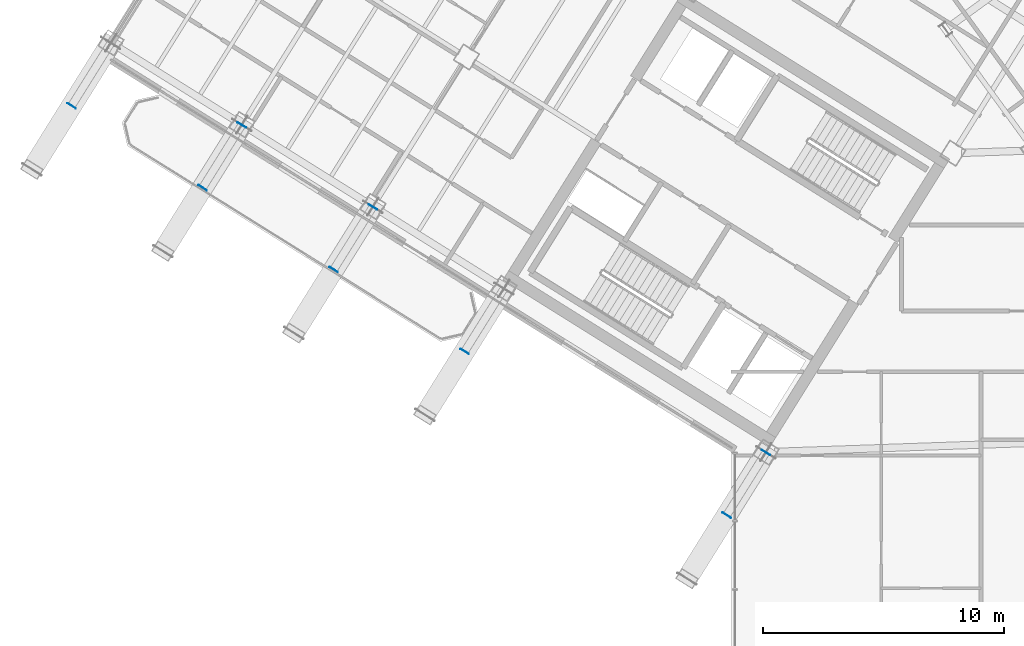
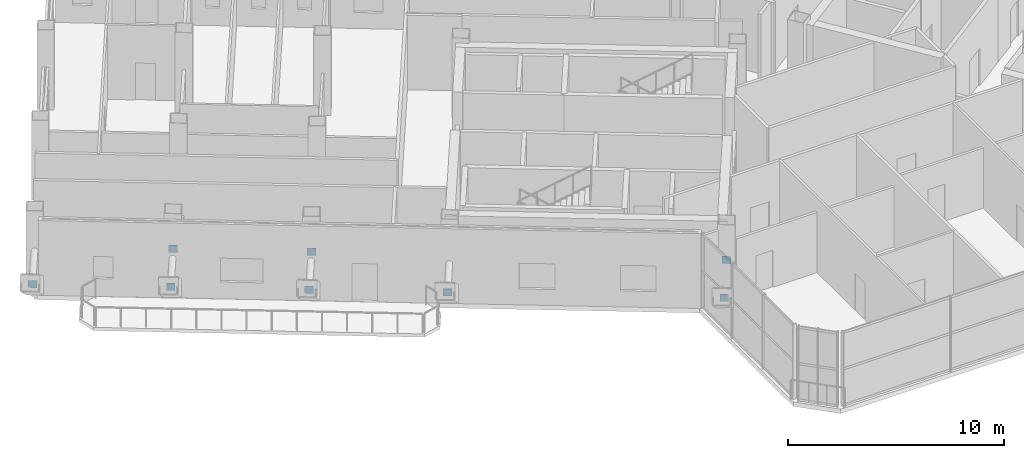
# One storey, part 17 of 34: 8 plates.
"""IFC4 building model written with IfcOpenShell, lengths in metres."""

from ifc_helpers import new_model, si_unit, direction, frame, origin, origin_2d, place, context, subcontext, project, spatial, rectangle, extrude, source, transform, mapped, material, layer, layer_set, type_object, element, save


model = new_model("IFC4")

# Units and contexts
model_context = context("Model", 3, precision=1e-05, world=origin(), true_north=direction((0.0, 1.0)))
body_context = subcontext(model_context, "Body", "Model", "MODEL_VIEW")
ifc_project = project(units=[si_unit("LENGTHUNIT", "METRE"), si_unit("AREAUNIT", "SQUARE_METRE"), si_unit("VOLUMEUNIT", "CUBIC_METRE"), si_unit("PLANEANGLEUNIT", "RADIAN"), si_unit("MASSUNIT", "GRAM", prefix="KILO")], contexts=[model_context])

# Site, building, storey
site_placement = place(None, origin())
site = spatial("IfcSite", under=ifc_project, at=site_placement, CompositionType="ELEMENT")
building_placement = place(site_placement, origin())
building = spatial("IfcBuilding", under=site, at=building_placement, Name="Tlacorven Tower", CompositionType="ELEMENT")
storey_placement = place(building_placement, frame((0.0, 0.0, 229.199951171875)))
storey = spatial("IfcBuildingStorey", under=building, at=storey_placement, Name="L58", CompositionType="ELEMENT", Elevation=229.199951171875)

# Plates
ifc_material = material(Name="Steel S460M", Category="steel")
ifc_layer = layer(ifc_material, 0.02392578125)
ifc_layer_set = layer_set([ifc_layer], Name="Steel S460M")
plate_type = type_object("IfcPlateType", Name="PL-CAP-END1", PredefinedType="USERDEFINED", material=ifc_layer_set)
shared_shape = source(origin(), body_context, "Body", "SweptSolid", [
    extrude(rectangle(XDim=0.02392578125, YDim=0.40380859375, at=origin_2d()), origin(), (0.0, 0.0, 1.0), 0.40380859375),
])
for number, where, z_axis, x_axis, name in (
    (1, (33.03564453125, 12.06982421875, 2.048095703125), (0.0, 0.0, 1.0), (-0.529918596831, -0.848048513195, 0.0), "L58 hollow end cap plate SBR-L58-W1 1"),
    (2, (31.4140625, 9.474853515625, 2.048095703125), (0.0, 0.0, 1.0), (-0.529918596831, -0.848048513195, 0.0), "L58 hollow end cap plate SBR-L58-W1 2"),
    (3, (20.55908203125, 16.2578125, 2.048095703125), (0.0, 0.0, 1.0), (-0.529920124392, -0.848047558669, 0.0), "L58 hollow end cap plate SBR-L58-W3 2"),
    (4, (16.7529296875, 22.244384765625, 2.048095703125), (0.0, 0.0, 1.0), (-0.529920153861, -0.848047540255, 0.0), "L58 hollow end cap plate SBR-L58-W4 1"),
    (5, (15.13134765625, 19.6494140625, 2.048095703125), (0.0, 0.0, 1.0), (-0.529920153861, -0.848047540255, 0.0), "L58 hollow end cap plate SBR-L58-W4 2"),
    (6, (11.325439453125, 25.6357421875, 2.048095703125), (0.0, 0.0, 1.0), (-0.529920036472, -0.848047613607, 0.0), "L58 hollow end cap plate SBR-L58-W5 1"),
    (7, (9.703857421875, 23.040771484375, 2.048095703125), (0.0, 0.0, 1.0), (-0.529920036472, -0.848047613607, 0.0), "L58 hollow end cap plate SBR-L58-W5 2"),
    (8, (4.2763671875, 26.432373046875, 2.048095703125), (0.0, 0.0, 1.0), (-0.529919419306, -0.848047999256, 0.0), "L58 hollow end cap plate SBR-L58-W6 2"),
):
    element("IfcPlate", number, at=place(storey_placement, frame(where, z_axis=z_axis, x_axis=x_axis)), inside=storey, type_object=plate_type, Name=name, ObjectType="END PLATE", PredefinedType="USERDEFINED", context=body_context, shape_type="MappedRepresentation", body=[
        mapped(shared_shape, transform((0.0, 0.0, 0.0), scale=1.0)),
    ])

save(model, "model.ifc")
